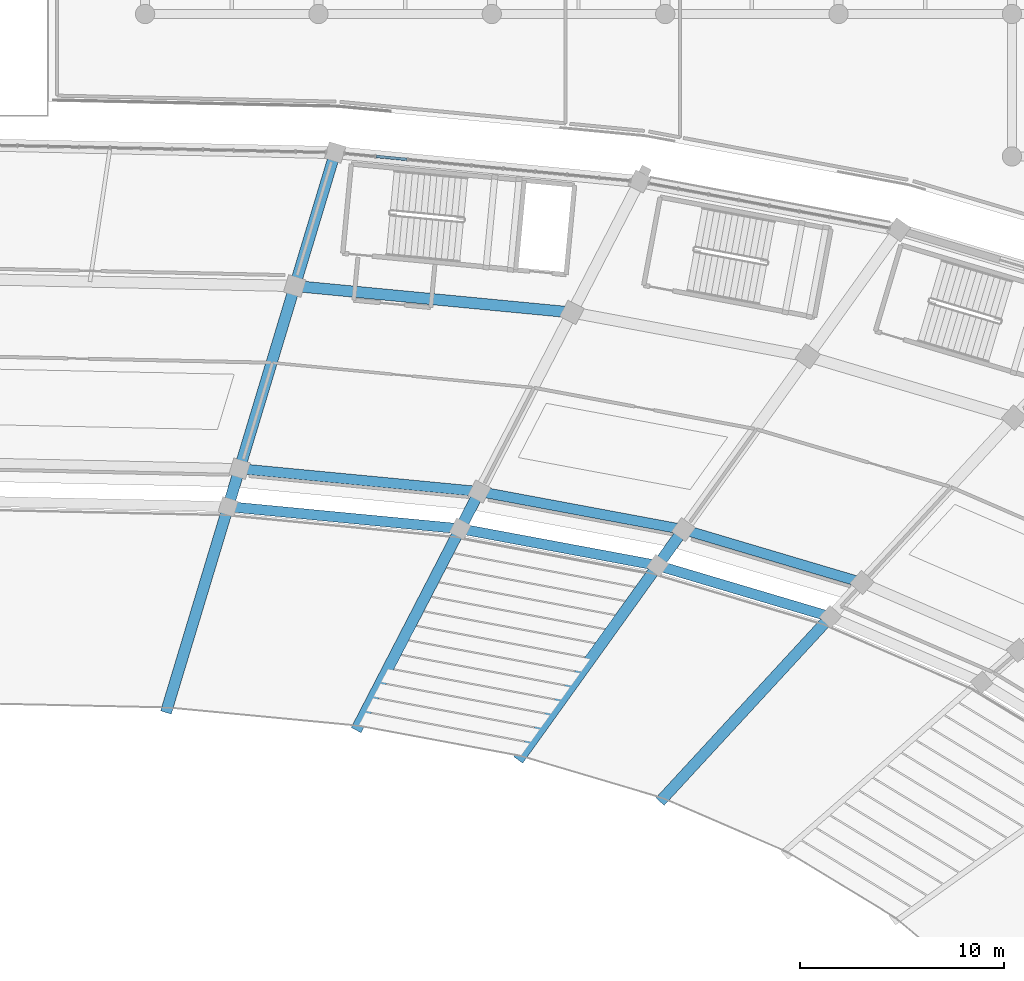
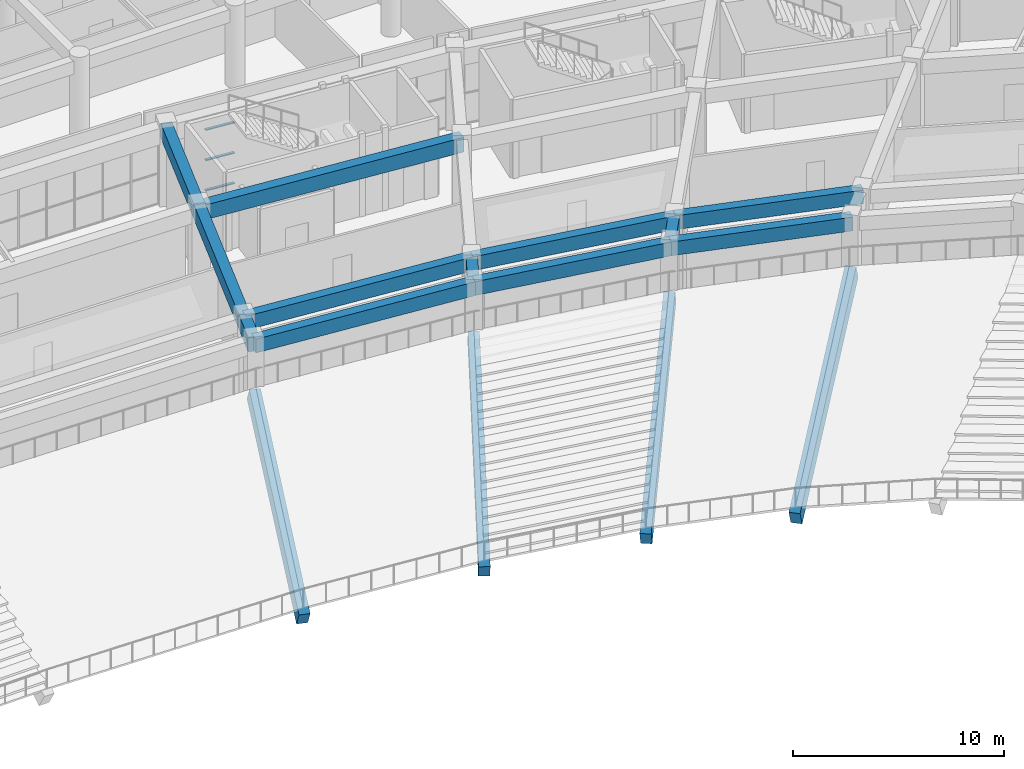
# One storey, part 69 of 152: 16 beams, 3 members, 1 element without a shape of its own.
"""IFC4 building model written with IfcOpenShell, lengths in metres."""

from ifc_helpers import new_model, si_unit, direction, frame, origin, origin_2d, place, context, subcontext, project, spatial, rectangle, extrude, material, layer, layer_set, material_profile, profile_set, type_object, element, aggregate, save


model = new_model("IFC4")

# Units and contexts
model_context = context("Model", 3, precision=1e-05, world=origin(), true_north=direction((0.0, 1.0)))
body_context = subcontext(model_context, "Body", "Model", "MODEL_VIEW")
ifc_project = project(units=[si_unit("LENGTHUNIT", "METRE"), si_unit("AREAUNIT", "SQUARE_METRE"), si_unit("VOLUMEUNIT", "CUBIC_METRE"), si_unit("PLANEANGLEUNIT", "RADIAN"), si_unit("MASSUNIT", "GRAM", prefix="KILO")], contexts=[model_context])

# Site, building, storey
site_placement = place(None, origin())
site = spatial("IfcSite", under=ifc_project, at=site_placement, CompositionType="ELEMENT")
building_placement = place(site_placement, origin())
building = spatial("IfcBuilding", under=site, at=building_placement, Name="Mphavela Belvedere Stadium", CompositionType="ELEMENT")
storey_placement = place(building_placement, frame((0.0, 0.0, 5.39990234375)))
storey = spatial("IfcBuildingStorey", under=building, at=storey_placement, Name="L01", CompositionType="ELEMENT", Elevation=5.39990234375)

# Beams
ifc_material_1 = material(Name="Precast concrete C45/55", Category="concrete")
ifc_material_profile_1 = material_profile(ifc_material_1, rectangle(XDim=0.550048828125, YDim=1.0, at=origin_2d()), Name="PC 550x1000")
ifc_profile_set_1 = profile_set([ifc_material_profile_1], Name="Precast concrete C45/55")
beam_type_1 = type_object("IfcBeamType", Name="BM-RAKER-LOWER", PredefinedType="USERDEFINED", material=ifc_profile_set_1)
beam_1_placement = place(storey_placement, frame((153.229736328125, 128.462890625, -4.75), z_axis=(0.607566883797, 0.65895529212, 0.443441545979), x_axis=(-0.735192313072, 0.677858586138, 0.0)))
element("IfcBeam", 1, at=beam_1_placement, inside=storey, type_object=beam_type_1, Name="Lower tier precast raker beam RK-L-09", ObjectType="RAKER BEAM", PredefinedType="USERDEFINED", context=body_context, shape_type="SweptSolid", body=[
    extrude(rectangle(XDim=0.550048828125, YDim=1.0, at=origin_2d()), origin(), (0.0, 0.0, 1.0), 13.530517578125),
])
beam_2_placement = place(storey_placement, frame((146.2431640625, 130.53662109375, -4.75), z_axis=(0.517134900081, 0.720613830932, 0.461830273789), x_axis=(-0.81244596432, 0.583036495479, 0.0)))
element("IfcBeam", 2, at=beam_2_placement, inside=storey, type_object=beam_type_1, Name="Lower tier precast raker beam RK-L-10", ObjectType="RAKER BEAM", PredefinedType="USERDEFINED", context=body_context, shape_type="SweptSolid", body=[
    extrude(rectangle(XDim=0.550048828125, YDim=1.0, at=origin_2d()), origin(), (0.0, 0.0, 1.0), 12.99169921875),
])
beam_3_placement = place(storey_placement, frame((138.258056640625, 132.02392578125, -4.75), z_axis=(0.402030633593, 0.778292840439, 0.482319006648), x_axis=(-0.888466560259, 0.458941359329, 0.0)))
element("IfcBeam", 3, at=beam_3_placement, inside=storey, type_object=beam_type_1, Name="Lower tier precast raker beam RK-L-11", ObjectType="RAKER BEAM", PredefinedType="USERDEFINED", context=body_context, shape_type="SweptSolid", body=[
    extrude(rectangle(XDim=0.550048828125, YDim=1.0, at=origin_2d()), origin(), (0.0, 0.0, 1.0), 12.43994140625),
])
beam_4_placement = place(storey_placement, frame((128.873779296875, 132.918701171875, -4.75), z_axis=(0.250007753773, 0.827460196511, 0.502797917899), x_axis=(-0.957260966392, 0.289225590538, 0.0)))
element("IfcBeam", 4, at=beam_4_placement, inside=storey, type_object=beam_type_1, Name="Lower tier precast raker beam RK-L-12", ObjectType="RAKER BEAM", PredefinedType="USERDEFINED", context=body_context, shape_type="SweptSolid", body=[
    extrude(rectangle(XDim=0.550048828125, YDim=1.0, at=origin_2d()), origin(), (0.0, 0.0, 1.0), 11.93310546875),
])
ifc_material_2 = material(Name="Concrete C40/50", Category="concrete")
ifc_material_profile_2 = material_profile(ifc_material_2, rectangle(XDim=0.5, YDim=0.800048828125, at=origin_2d()), Name="RC 500x800")
ifc_profile_set_2 = profile_set([ifc_material_profile_2], Name="Concrete C40/50")
beam_type_2 = type_object("IfcBeamType", Name="BM-RC500x800", PredefinedType="BEAM", material=ifc_profile_set_2)
beam_5_placement = place(storey_placement, frame((161.450439453125, 137.37890625, 4.150146484375), z_axis=(-0.958656973737, 0.284564240033, 0.0), x_axis=(-0.284564240033, -0.958656973737, 0.0)))
element("IfcBeam", 5, at=beam_5_placement, inside=storey, type_object=beam_type_2, Name="Circumferential girder L01 R1-09", PredefinedType="BEAM", context=body_context, shape_type="SweptSolid", body=[
    extrude(rectangle(XDim=0.5, YDim=0.800048828125, at=origin_2d()), origin(), (0.0, 0.0, 1.0), 8.854736328125),
])
beam_6_placement = place(storey_placement, frame((163.002685546875, 139.0625, 4.150146484375), z_axis=(-0.958656419443, 0.284566107363, 0.0), x_axis=(-0.284566107363, -0.958656419443, 0.0)))
element("IfcBeam", 6, at=beam_6_placement, inside=storey, type_object=beam_type_2, Name="Circumferential girder L01 R2-09", PredefinedType="BEAM", context=body_context, shape_type="SweptSolid", body=[
    extrude(rectangle(XDim=0.5, YDim=0.800048828125, at=origin_2d()), origin(), (0.0, 0.0, 1.0), 9.15087890625),
])
beam_7_placement = place(storey_placement, frame((152.961669921875, 139.898681640625, 4.150146484375), z_axis=(-0.983092994202, 0.183106976248, 0.0), x_axis=(-0.183106976248, -0.983092994202, 0.0)))
element("IfcBeam", 7, at=beam_7_placement, inside=storey, type_object=beam_type_2, Name="Circumferential girder L01 R1-10", PredefinedType="BEAM", context=body_context, shape_type="SweptSolid", body=[
    extrude(rectangle(XDim=0.5, YDim=0.800048828125, at=origin_2d()), origin(), (0.0, 0.0, 1.0), 9.869140625),
])
beam_8_placement = place(storey_placement, frame((154.230224609375, 141.66650390625, 4.150146484375), z_axis=(-0.983098802226, 0.183075790485, 0.0), x_axis=(-0.183075790485, -0.983098802226, 0.0)))
element("IfcBeam", 8, at=beam_8_placement, inside=storey, type_object=beam_type_2, Name="Circumferential girder L01 R2-10", PredefinedType="BEAM", context=body_context, shape_type="SweptSolid", body=[
    extrude(rectangle(XDim=0.5, YDim=0.800048828125, at=origin_2d()), origin(), (0.0, 0.0, 1.0), 10.198974609375),
])
beam_9_placement = place(storey_placement, frame((143.25927734375, 141.705810546875, 4.150146484375), z_axis=(-0.995485216305, 0.094916722014, 0.0), x_axis=(-0.094916722014, -0.995485216305, 0.0)))
element("IfcBeam", 9, at=beam_9_placement, inside=storey, type_object=beam_type_2, Name="Circumferential girder L01 R1-11", PredefinedType="BEAM", context=body_context, shape_type="SweptSolid", body=[
    extrude(rectangle(XDim=0.5, YDim=0.800048828125, at=origin_2d()), origin(), (0.0, 0.0, 1.0), 11.453857421875),
])
beam_10_placement = place(storey_placement, frame((144.20361328125, 143.53369140625, 4.150146484375), z_axis=(-0.9954829494, 0.094940494283, 0.0), x_axis=(-0.094940494283, -0.9954829494, 0.0)))
element("IfcBeam", 10, at=beam_10_placement, inside=storey, type_object=beam_type_2, Name="Circumferential girder L01 R2-11", PredefinedType="BEAM", context=body_context, shape_type="SweptSolid", body=[
    extrude(rectangle(XDim=0.5, YDim=0.800048828125, at=origin_2d()), origin(), (0.0, 0.0, 1.0), 11.836669921875),
])
ifc_material_3 = material(Name="Concrete C40/50", Category="concrete")
ifc_material_profile_3 = material_profile(ifc_material_3, rectangle(XDim=0.550048828125, YDim=0.85009765625, at=origin_2d()), Name="RC 550x850")
ifc_profile_set_3 = profile_set([ifc_material_profile_3], Name="Concrete C40/50")
beam_type_3 = type_object("IfcBeamType", Name="BM-RC550x850", PredefinedType="BEAM", material=ifc_profile_set_3)
beam_11_placement = place(storey_placement, frame((152.961669921875, 139.898681640625, 4.125), z_axis=(0.583009326667, 0.812465460816, 0.0), x_axis=(-0.812465460816, 0.583009326667, 0.0)))
element("IfcBeam", 11, at=beam_11_placement, inside=storey, type_object=beam_type_3, Name="Radial concourse girder L01 R1R2-10", PredefinedType="BEAM", context=body_context, shape_type="SweptSolid", body=[
    extrude(rectangle(XDim=0.550048828125, YDim=0.85009765625, at=origin_2d()), origin(), (0.0, 0.0, 1.0), 2.17578125),
])
beam_12_placement = place(storey_placement, frame((148.750244140625, 152.33544921875, 4.125), z_axis=(-0.995483834103, 0.094931217412, 0.0), x_axis=(-0.094931217412, -0.995483834103, 0.0)))
element("IfcBeam", 12, at=beam_12_placement, inside=storey, type_object=beam_type_3, Name="Circumferential girder L01 R3-11", PredefinedType="BEAM", context=body_context, shape_type="SweptSolid", body=[
    extrude(rectangle(XDim=0.550048828125, YDim=0.85009765625, at=origin_2d()), origin(), (0.0, 0.0, 1.0), 13.67919921875),
])
beam_13_placement = place(storey_placement, frame((143.25927734375, 141.705810546875, 4.125), z_axis=(0.458993514161, 0.888439617508, 0.0), x_axis=(-0.888439617508, 0.458993514161, 0.0)))
element("IfcBeam", 13, at=beam_13_placement, inside=storey, type_object=beam_type_3, Name="Radial concourse girder L01 R1R2-11", PredefinedType="BEAM", context=body_context, shape_type="SweptSolid", body=[
    extrude(rectangle(XDim=0.550048828125, YDim=0.85009765625, at=origin_2d()), origin(), (0.0, 0.0, 1.0), 2.057373046875),
])
beam_14_placement = place(storey_placement, frame((131.857177734375, 142.79296875, 4.125), z_axis=(0.289175820075, 0.957276002563, 0.0), x_axis=(-0.957276002563, 0.289175820075, 0.0)))
element("IfcBeam", 14, at=beam_14_placement, inside=storey, type_object=beam_type_3, Name="Radial concourse girder L01 R1R2-12", PredefinedType="BEAM", context=body_context, shape_type="SweptSolid", body=[
    extrude(rectangle(XDim=0.550048828125, YDim=0.85009765625, at=origin_2d()), origin(), (0.0, 0.0, 1.0), 1.94775390625),
])
beam_15_placement = place(storey_placement, frame((132.42041015625, 144.657470703125, 4.125), z_axis=(0.289248589313, 0.95725401727, 0.0), x_axis=(-0.95725401727, 0.289248589313, 0.0)))
element("IfcBeam", 15, at=beam_15_placement, inside=storey, type_object=beam_type_3, Name="Radial concourse girder L01 R2R3-12", PredefinedType="BEAM", context=body_context, shape_type="SweptSolid", body=[
    extrude(rectangle(XDim=0.550048828125, YDim=0.85009765625, at=origin_2d()), origin(), (0.0, 0.0, 1.0), 9.37744140625),
])
beam_16_placement = place(storey_placement, frame((135.1328125, 153.634033203125, 4.125), z_axis=(0.28918755919, 0.95727245631, 0.0), x_axis=(-0.95727245631, 0.28918755919, 0.0)))
element("IfcBeam", 16, at=beam_16_placement, inside=storey, type_object=beam_type_3, Name="Radial concourse girder L01 R3R4-12", PredefinedType="BEAM", context=body_context, shape_type="SweptSolid", body=[
    extrude(rectangle(XDim=0.550048828125, YDim=0.85009765625, at=origin_2d()), origin(), (0.0, 0.0, 1.0), 6.8525390625),
])

# Curtain wall, members
ifc_material_4 = material(Name="Anodised bronze unitised curtain wall framing")
ifc_layer = layer(ifc_material_4, 0.205078125)
ifc_layer_set = layer_set([ifc_layer], Name="Anodised bronze unitised curtain wall framing")
curtain_wall_type = type_object("IfcCurtainWallType", Name="CW-UNIT-06", PredefinedType="USERDEFINED", material=ifc_layer_set)
curtain_wall_placement = place(storey_placement, origin())
curtain_wall = element("IfcCurtainWall", 17, at=curtain_wall_placement, inside=storey, type_object=curtain_wall_type, Name="Belvedere colonnade curtain wall L01-11", ObjectType="UNITISED CURTAIN WALL", PredefinedType="USERDEFINED")
ifc_material_5 = material(Name="Anodised bronze extruded aluminium", Category="aluminium")
ifc_material_profile_4 = material_profile(ifc_material_5, rectangle(XDim=0.139892578125, YDim=0.06005859375, at=origin_2d()), Name="CW-TRN 140x60")
ifc_profile_set_4 = profile_set([ifc_material_profile_4], Name="Anodised bronze extruded aluminium")
member_type = type_object("IfcMemberType", Name="CWT-140x60", PredefinedType="USERDEFINED", material=ifc_profile_set_4)
member_1_placement = place(storey_placement, frame((140.64013671875, 159.857666015625, 0.030029296875), z_axis=(-0.99548893232, 0.094877740424, 0.0), x_axis=(-0.094877740424, -0.99548893232, 0.0)))
member_1 = element("IfcMember", 18, at=member_1_placement, type_object=member_type, Name="CW-06 transom 8.1", ObjectType="TRANSOM", PredefinedType="USERDEFINED", context=body_context, shape_type="SweptSolid", body=[
    extrude(rectangle(XDim=0.139892578125, YDim=0.06005859375, at=origin_2d()), origin(), (0.0, 0.0, 1.0), 1.510498046875),
])
member_2_placement = place(storey_placement, frame((140.64013671875, 159.857666015625, 1.78515625), z_axis=(-0.99548893232, 0.094877740424, 0.0), x_axis=(-0.094877740424, -0.99548893232, 0.0)))
member_2 = element("IfcMember", 19, at=member_2_placement, type_object=member_type, Name="CW-06 transom 8.2", ObjectType="TRANSOM", PredefinedType="USERDEFINED", context=body_context, shape_type="SweptSolid", body=[
    extrude(rectangle(XDim=0.139892578125, YDim=0.06005859375, at=origin_2d()), origin(), (0.0, 0.0, 1.0), 1.510498046875),
])
member_3_placement = place(storey_placement, frame((140.64013671875, 159.857666015625, 3.5400390625), z_axis=(-0.99548893232, 0.094877740424, 0.0), x_axis=(-0.094877740424, -0.99548893232, 0.0)))
member_3 = element("IfcMember", 20, at=member_3_placement, type_object=member_type, Name="CW-06 transom 8.3", ObjectType="TRANSOM", PredefinedType="USERDEFINED", context=body_context, shape_type="SweptSolid", body=[
    extrude(rectangle(XDim=0.139892578125, YDim=0.06005859375, at=origin_2d()), origin(), (0.0, 0.0, 1.0), 1.510498046875),
])
aggregate(curtain_wall, [member_1, member_2, member_3])

save(model, "model.ifc")
